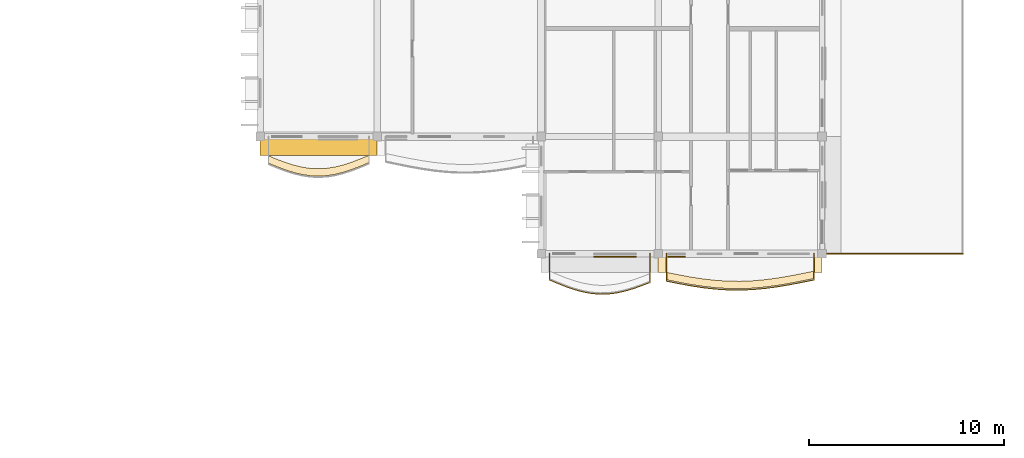
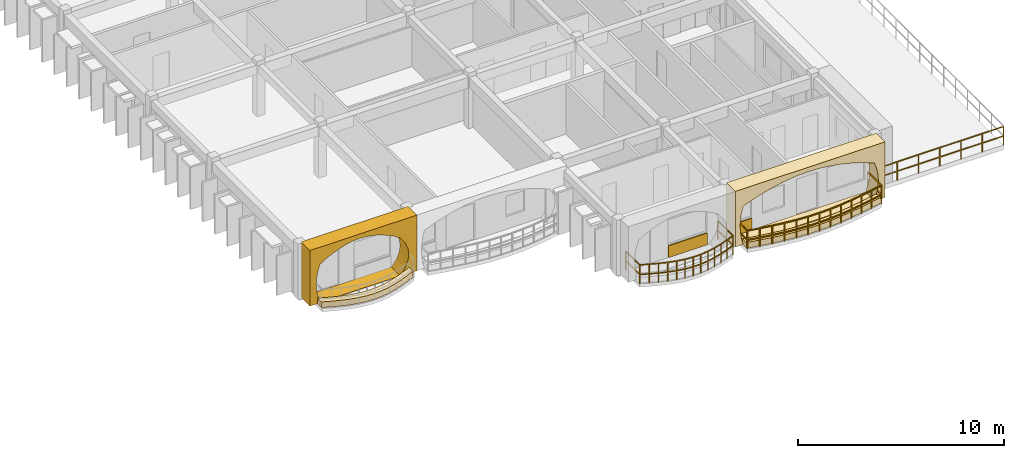
# One storey, part 57 of 66: 6 coverings, 3 railings.
"""IFC4 building model written with IfcOpenShell, lengths in metres."""

from ifc_helpers import new_model, si_unit, direction, frame, origin, origin_2d, place, context, subcontext, project, spatial, polyline, rectangle, outline, extrude, material, layer, layer_set, type_object, element, save


model = new_model("IFC4")

# Units and contexts
model_context = context("Model", 3, precision=1e-05, world=origin(), true_north=direction((0.0, 1.0)))
body_context = subcontext(model_context, "Body", "Model", "MODEL_VIEW")
ifc_project = project(units=[si_unit("LENGTHUNIT", "METRE"), si_unit("AREAUNIT", "SQUARE_METRE"), si_unit("VOLUMEUNIT", "CUBIC_METRE"), si_unit("PLANEANGLEUNIT", "RADIAN"), si_unit("MASSUNIT", "GRAM", prefix="KILO"), si_unit("THERMODYNAMICTEMPERATUREUNIT", "KELVIN")], contexts=[model_context])

# Site, building, storey
site_placement = place(None, origin())
site = spatial("IfcSite", under=ifc_project, at=site_placement, CompositionType="ELEMENT")
building_placement = place(site_placement, origin())
building = spatial("IfcBuilding", under=site, at=building_placement, Name="Thalorik Housing Commons", CompositionType="ELEMENT")
storey_placement = place(building_placement, frame((0.0, 0.0, 21.300048828125)))
storey = spatial("IfcBuildingStorey", under=building, at=storey_placement, Name="L06", CompositionType="ELEMENT", Elevation=21.300048828125)

# Coverings
ifc_material_1 = material(Name="Cobalt blue glazed ceramic facade tile panel", Category="masonry")
ifc_layer_1 = layer(ifc_material_1, 0.06005859375, Name="Cobalt blue glazed ceramic facade tile panel", Category="masonry")
ifc_layer_set_1 = layer_set([ifc_layer_1], Name="Cobalt blue glazed ceramic facade tile panel")
covering_type_1 = type_object("IfcCoveringType", Name="ARC-CLD-BLU-60", PredefinedType="CLADDING", material=ifc_layer_set_1)
covering_1_placement = place(storey_placement, frame((156.18994140625, 37.04248046875, 0.0498046875), z_axis=(0.0, 0.0, 1.0), x_axis=(1.0, 0.0, 0.0)))
element("IfcCovering", 1, at=covering_1_placement, inside=storey, type_object=covering_type_1, Name="L06 De Stijl Recessed Window Spandrel 4973", PredefinedType="CLADDING", context=body_context, shape_type="SweptSolid", body=[
    extrude(rectangle(XDim=2.179931640625, YDim=0.06005859375, at=origin_2d()), origin(), (0.0, 0.0, 1.0), 0.699951171875),
])
ifc_material_2 = material(Name="Precast concrete C40/50", Category="concrete")
ifc_layer_2 = layer(ifc_material_2, 0.85009765625, Name="Precast concrete C40/50", Category="concrete")
ifc_layer_set_2 = layer_set([ifc_layer_2], Name="Precast concrete C40/50")
covering_type_2 = type_object("IfcCoveringType", Name="ARC-CLD-CUSH-850", PredefinedType="CLADDING", material=ifc_layer_set_2)
covering_2_placement = place(storey_placement, frame((141.0, 42.652587890625, 0.0), z_axis=(0.0, 0.0, 1.0), x_axis=(1.0, 0.0, 0.0)))
element("IfcCovering", 2, at=covering_2_placement, inside=storey, type_object=covering_type_2, Name="L06 White Precast Curved Cushion Bay Frame 4961", PredefinedType="CLADDING", context=body_context, shape_type="SweptSolid", body=[
    extrude(outline(polyline([(-3.0, 0.0), (3.0, 0.0), (3.0, 3.300048828125), (-3.0, 3.300048828125), (-3.0, 0.0)]), holes=[polyline([(2.06005859375, 0.02490234375), (2.332275390625, 0.40087890625), (2.49560546875, 0.776611328125), (2.550048828125, 1.152587890625), (2.49560546875, 1.5283203125), (2.332275390625, 1.904296875), (2.06005859375, 2.280029296875), (1.685791015625, 2.51123046875), (1.311767578125, 2.693115234375), (0.9375, 2.840087890625), (0.563232421875, 2.94970703125), (0.189208984375, 3.01708984375), (-0.18505859375, 3.0400390625), (-0.55908203125, 3.01708984375), (-0.933349609375, 2.94970703125), (-1.3076171875, 2.840087890625), (-1.681640625, 2.693115234375), (-2.055908203125, 2.51123046875), (-2.429931640625, 2.280029296875), (-2.55029296875, 1.904296875), (-2.62255859375, 1.5283203125), (-2.646484375, 1.152587890625), (-2.62255859375, 0.776611328125), (-2.55029296875, 0.40087890625), (-2.429931640625, 0.02490234375), (2.06005859375, 0.02490234375)])]), frame((0.0, 0.425048828125, 0.0), z_axis=(0.0, -1.0, 0.0), x_axis=(1.0, 0.0, 0.0)), (0.0, 0.0, 1.0), 0.85009765625),
])
covering_3_placement = place(storey_placement, frame((162.60009765625, 36.652587890625, 0.0), z_axis=(0.0, 0.0, 1.0), x_axis=(1.0, 0.0, 0.0)))
element("IfcCovering", 3, at=covering_3_placement, inside=storey, type_object=covering_type_2, Name="L06 White Precast Curved Cushion Bay Frame 4974", PredefinedType="CLADDING", context=body_context, shape_type="SweptSolid", body=[
    extrude(outline(polyline([(-4.199951171875, 0.0), (4.199951171875, 0.0), (4.199951171875, 3.300048828125), (-4.199951171875, 3.300048828125), (-4.199951171875, 0.0)]), holes=[polyline([(3.594970703125, 0.02490234375), (3.72265625, 0.3974609375), (3.79931640625, 0.77001953125), (3.824951171875, 1.142578125), (3.79931640625, 1.514892578125), (3.72265625, 1.887451171875), (3.594970703125, 2.260009765625), (2.981689453125, 2.497314453125), (2.368408203125, 2.683837890625), (1.7548828125, 2.8349609375), (1.1416015625, 2.947265625), (0.5283203125, 3.0166015625), (-0.0849609375, 3.0400390625), (-0.6982421875, 3.0166015625), (-1.311767578125, 2.947265625), (-1.925048828125, 2.8349609375), (-2.538330078125, 2.683837890625), (-3.151611328125, 2.497314453125), (-3.764892578125, 2.260009765625), (-3.856689453125, 1.887451171875), (-3.911865234375, 1.514892578125), (-3.930419921875, 1.142578125), (-3.911865234375, 0.77001953125), (-3.856689453125, 0.3974609375), (-3.764892578125, 0.02490234375), (3.594970703125, 0.02490234375)])]), frame((0.0, 0.425048828125, 0.0), z_axis=(0.0, -1.0, 0.0), x_axis=(1.0, 0.0, 0.0)), (0.0, 0.0, 1.0), 0.85009765625),
])
ifc_material_3 = material(Name="Mineral ochre architectural terracotta panel", Category="masonry")
ifc_layer_3 = layer(ifc_material_3, 0.06494140625, Name="Mineral ochre architectural terracotta panel", Category="masonry")
ifc_layer_set_3 = layer_set([ifc_layer_3], Name="Mineral ochre architectural terracotta panel")
covering_type_3 = type_object("IfcCoveringType", Name="ARC-CLD-YEL-65", PredefinedType="CLADDING", material=ifc_layer_set_3)
covering_4_placement = place(storey_placement, frame((159.3349609375, 37.0400390625, 0.0498046875), z_axis=(0.0, 0.0, 1.0), x_axis=(1.0, 0.0, 0.0)))
element("IfcCovering", 4, at=covering_4_placement, inside=storey, type_object=covering_type_3, Name="L06 De Stijl Recessed Window Spandrel 4975", PredefinedType="CLADDING", context=body_context, shape_type="SweptSolid", body=[
    extrude(rectangle(XDim=0.89990234375, YDim=0.06494140625, at=origin_2d()), origin(), (0.0, 0.0, 1.0), 0.699951171875),
])
ifc_material_4 = material(Name="Planted vegetated substrate and terracotta trough", Category="masonry")
ifc_layer_4 = layer(ifc_material_4, 0.340087890625, Name="Planted vegetated substrate and terracotta trough", Category="masonry")
ifc_layer_set_4 = layer_set([ifc_layer_4], Name="Planted vegetated substrate and terracotta trough")
covering_type_4 = type_object("IfcCoveringType", Name="ARC-COV-PLANTER", PredefinedType="USERDEFINED", material=ifc_layer_set_4)
covering_5_placement = place(storey_placement, origin())
element("IfcCovering", 5, at=covering_5_placement, inside=storey, type_object=covering_type_4, Name="L06 Balcony Slab-Edge Planted Trough 5686", ObjectType="PLANTER", PredefinedType="USERDEFINED", context=body_context, shape_type="SweptSolid", body=[
    extrude(outline(polyline([(158.820068359375, 35.861328125), (159.449951171875, 35.73486328125), (160.080078125, 35.61962890625), (160.7099609375, 35.523681640625), (161.340087890625, 35.452880859375), (161.969970703125, 35.412109375), (162.60009765625, 35.40380859375), (163.22998046875, 35.4287109375), (163.860107421875, 35.485107421875), (164.489990234375, 35.56884765625), (165.1201171875, 35.674560546875), (165.75, 35.795166015625), (166.3798828125, 35.922607421875), (166.3798828125, 36.302734375), (165.75, 36.17529296875), (165.1201171875, 36.0546875), (164.489990234375, 35.948974609375), (163.860107421875, 35.864990234375), (163.22998046875, 35.808837890625), (162.60009765625, 35.783935546875), (161.969970703125, 35.7919921875), (161.340087890625, 35.8330078125), (160.7099609375, 35.90380859375), (160.080078125, 35.999755859375), (159.449951171875, 36.11474609375), (158.820068359375, 36.2412109375), (158.820068359375, 35.861328125)])), origin(), (0.0, 0.0, 1.0), 0.33984375),
])
covering_6_placement = place(storey_placement, origin())
element("IfcCovering", 6, at=covering_6_placement, inside=storey, type_object=covering_type_4, Name="L06 Balcony Slab-Edge Planted Trough 5687", ObjectType="PLANTER", PredefinedType="USERDEFINED", context=body_context, shape_type="SweptSolid", body=[
    extrude(outline(polyline([(138.419921875, 41.836181640625), (138.85009765625, 41.660400390625), (139.280029296875, 41.498046875), (139.7099609375, 41.360107421875), (140.139892578125, 41.255615234375), (140.570068359375, 41.19091796875), (141.0, 41.1708984375), (141.429931640625, 41.19677734375), (141.860107421875, 41.266845703125), (142.2900390625, 41.376708984375), (142.719970703125, 41.519287109375), (143.14990234375, 41.685302734375), (143.580078125, 41.8642578125), (143.580078125, 42.244140625), (143.14990234375, 42.0654296875), (142.719970703125, 41.8994140625), (142.2900390625, 41.7568359375), (141.860107421875, 41.64697265625), (141.429931640625, 41.576904296875), (141.0, 41.551025390625), (140.570068359375, 41.571044921875), (140.139892578125, 41.635498046875), (139.7099609375, 41.740234375), (139.280029296875, 41.878173828125), (138.85009765625, 42.040283203125), (138.419921875, 42.21630859375), (138.419921875, 41.836181640625)])), origin(), (0.0, 0.0, 1.0), 0.33984375),
])

# Railings
ifc_material_5 = material(Name="Steel S355", Category="steel")
railing_type_1 = type_object("IfcRailingType", Name="ARC-RL-BAL-112", PredefinedType="BALUSTRADE", material=ifc_material_5)
railing_1_placement = place(storey_placement, frame((158.820068359375, 37.199951171875, 0.0)))
element("IfcRailing", 7, at=railing_1_placement, inside=storey, type_object=railing_type_1, Name="L06 Cushion Balcony Guardrail 370", PredefinedType="BALUSTRADE", context=body_context, shape_type="SweptSolid", body=[
    extrude(rectangle(XDim=0.050048828125, YDim=0.050048828125, at=origin_2d()), frame((0.0, 0.0, 1.09521484375), z_axis=(0.0, -1.0, 0.0), x_axis=(1.0, 0.0, 0.0)), (0.0, 0.0, 1.0), 1.40869140625),
    extrude(rectangle(XDim=0.050048828125, YDim=0.050048828125, at=origin_2d()), frame((0.0, 0.0, 0.53515625), z_axis=(0.0, -1.0, 0.0), x_axis=(1.0, 0.0, 0.0)), (0.0, 0.0, 1.0), 1.40869140625),
    extrude(rectangle(XDim=0.050048828125, YDim=0.050048828125, at=origin_2d()), frame((0.0, -1.40869140625, 1.09521484375), z_axis=(0.980434244421, -0.19684687543, 0.0), x_axis=(0.19684687543, 0.980434244421, 0.0)), (0.0, 0.0, 1.0), 0.642333984375),
    extrude(rectangle(XDim=0.050048828125, YDim=0.050048828125, at=origin_2d()), frame((0.0, -1.40869140625, 0.53515625), z_axis=(0.980434244421, -0.19684687543, 0.0), x_axis=(0.19684687543, 0.980434244421, 0.0)), (0.0, 0.0, 1.0), 0.642333984375),
    extrude(rectangle(XDim=0.050048828125, YDim=0.050048828125, at=origin_2d()), frame((0.6298828125, -1.53515625, 1.09521484375), z_axis=(0.983753833434, -0.179522687155, 0.0), x_axis=(0.179522687155, 0.983753833434, 0.0)), (0.0, 0.0, 1.0), 0.640625),
    extrude(rectangle(XDim=0.050048828125, YDim=0.050048828125, at=origin_2d()), frame((0.6298828125, -1.53515625, 0.53515625), z_axis=(0.983753833434, -0.179522687155, 0.0), x_axis=(0.179522687155, 0.983753833434, 0.0)), (0.0, 0.0, 1.0), 0.640625),
    extrude(rectangle(XDim=0.050048828125, YDim=0.050048828125, at=origin_2d()), frame((1.260009765625, -1.650146484375, 1.09521484375), z_axis=(0.988539414432, -0.150962995847, 0.0), x_axis=(0.150962995847, 0.988539414432, 0.0)), (0.0, 0.0, 1.0), 0.63720703125),
    extrude(rectangle(XDim=0.050048828125, YDim=0.050048828125, at=origin_2d()), frame((1.260009765625, -1.650146484375, 0.53515625), z_axis=(0.988539414432, -0.150962995847, 0.0), x_axis=(0.150962995847, 0.988539414432, 0.0)), (0.0, 0.0, 1.0), 0.63720703125),
    extrude(rectangle(XDim=0.050048828125, YDim=0.050048828125, at=origin_2d()), frame((1.889892578125, -1.746337890625, 1.09521484375), z_axis=(0.993746812117, -0.111656945182, 0.0), x_axis=(0.111656945182, 0.993746812117, 0.0)), (0.0, 0.0, 1.0), 0.634033203125),
    extrude(rectangle(XDim=0.050048828125, YDim=0.050048828125, at=origin_2d()), frame((1.889892578125, -1.746337890625, 0.53515625), z_axis=(0.993746812117, -0.111656945182, 0.0), x_axis=(0.111656945182, 0.993746812117, 0.0)), (0.0, 0.0, 1.0), 0.634033203125),
    extrude(rectangle(XDim=0.050048828125, YDim=0.050048828125, at=origin_2d()), frame((2.52001953125, -1.817138671875, 1.09521484375), z_axis=(0.997911658868, -0.064593506601, 0.0), x_axis=(0.064593506601, 0.997911658868, 0.0)), (0.0, 0.0, 1.0), 0.631103515625),
    extrude(rectangle(XDim=0.050048828125, YDim=0.050048828125, at=origin_2d()), frame((2.52001953125, -1.817138671875, 0.53515625), z_axis=(0.997911658868, -0.064593506601, 0.0), x_axis=(0.064593506601, 0.997911658868, 0.0)), (0.0, 0.0, 1.0), 0.631103515625),
    extrude(rectangle(XDim=0.050048828125, YDim=0.050048828125, at=origin_2d()), frame((3.14990234375, -1.85791015625, 1.09521484375), z_axis=(0.999918272421, -0.012784697013, 0.0), x_axis=(0.012784697013, 0.999918272421, 0.0)), (0.0, 0.0, 1.0), 0.630126953125),
    extrude(rectangle(XDim=0.050048828125, YDim=0.050048828125, at=origin_2d()), frame((3.14990234375, -1.85791015625, 0.53515625), z_axis=(0.999918272421, -0.012784697013, 0.0), x_axis=(0.012784697013, 0.999918272421, 0.0)), (0.0, 0.0, 1.0), 0.630126953125),
    extrude(rectangle(XDim=0.050048828125, YDim=0.050048828125, at=origin_2d()), frame((3.780029296875, -1.865966796875, 1.09521484375), z_axis=(0.999219411415, 0.039504023242, 0.0), x_axis=(-0.039504023242, 0.999219411415, 0.0)), (0.0, 0.0, 1.0), 0.63037109375),
    extrude(rectangle(XDim=0.050048828125, YDim=0.050048828125, at=origin_2d()), frame((3.780029296875, -1.865966796875, 0.53515625), z_axis=(0.999219411415, 0.039504023242, 0.0), x_axis=(-0.039504023242, 0.999219411415, 0.0)), (0.0, 0.0, 1.0), 0.63037109375),
    extrude(rectangle(XDim=0.050048828125, YDim=0.050048828125, at=origin_2d()), frame((4.409912109375, -1.841064453125, 1.09521484375), z_axis=(0.996052951542, 0.088761014667, 0.0), x_axis=(-0.088761014667, 0.996052951542, 0.0)), (0.0, 0.0, 1.0), 0.632568359375),
    extrude(rectangle(XDim=0.050048828125, YDim=0.050048828125, at=origin_2d()), frame((4.409912109375, -1.841064453125, 0.53515625), z_axis=(0.996052951542, 0.088761014667, 0.0), x_axis=(-0.088761014667, 0.996052951542, 0.0)), (0.0, 0.0, 1.0), 0.632568359375),
    extrude(rectangle(XDim=0.050048828125, YDim=0.050048828125, at=origin_2d()), frame((5.0400390625, -1.784912109375, 1.09521484375), z_axis=(0.991278162816, 0.131786205367, 0.0), x_axis=(-0.131786205367, 0.991278162816, 0.0)), (0.0, 0.0, 1.0), 0.635498046875),
    extrude(rectangle(XDim=0.050048828125, YDim=0.050048828125, at=origin_2d()), frame((5.0400390625, -1.784912109375, 0.53515625), z_axis=(0.991278162816, 0.131786205367, 0.0), x_axis=(-0.131786205367, 0.991278162816, 0.0)), (0.0, 0.0, 1.0), 0.635498046875),
    extrude(rectangle(XDim=0.050048828125, YDim=0.050048828125, at=origin_2d()), frame((5.669921875, -1.701171875, 1.09521484375), z_axis=(0.986217798769, 0.165452269224, 0.0), x_axis=(-0.165452269224, 0.986217798769, 0.0)), (0.0, 0.0, 1.0), 0.638916015625),
    extrude(rectangle(XDim=0.050048828125, YDim=0.050048828125, at=origin_2d()), frame((5.669921875, -1.701171875, 0.53515625), z_axis=(0.986217798769, 0.165452269224, 0.0), x_axis=(-0.165452269224, 0.986217798769, 0.0)), (0.0, 0.0, 1.0), 0.638916015625),
    extrude(rectangle(XDim=0.050048828125, YDim=0.050048828125, at=origin_2d()), frame((6.300048828125, -1.595458984375, 1.09521484375), z_axis=(0.982158184024, 0.188056644538, 0.0), x_axis=(-0.188056644538, 0.982158184024, 0.0)), (0.0, 0.0, 1.0), 0.641357421875),
    extrude(rectangle(XDim=0.050048828125, YDim=0.050048828125, at=origin_2d()), frame((6.300048828125, -1.595458984375, 0.53515625), z_axis=(0.982158184024, 0.188056644538, 0.0), x_axis=(-0.188056644538, 0.982158184024, 0.0)), (0.0, 0.0, 1.0), 0.641357421875),
    extrude(rectangle(XDim=0.050048828125, YDim=0.050048828125, at=origin_2d()), frame((6.929931640625, -1.474853515625, 1.09521484375), z_axis=(0.980065978106, 0.19867228936, 0.0), x_axis=(-0.19867228936, 0.980065978106, 0.0)), (0.0, 0.0, 1.0), 0.642578125),
    extrude(rectangle(XDim=0.050048828125, YDim=0.050048828125, at=origin_2d()), frame((6.929931640625, -1.474853515625, 0.53515625), z_axis=(0.980065978106, 0.19867228936, 0.0), x_axis=(-0.19867228936, 0.980065978106, 0.0)), (0.0, 0.0, 1.0), 0.642578125),
    extrude(rectangle(XDim=0.050048828125, YDim=0.050048828125, at=origin_2d()), frame((7.559814453125, -1.34716796875, 1.09521484375), z_axis=(0.0, 1.0, 0.0), x_axis=(-1.0, 0.0, 0.0)), (0.0, 0.0, 1.0), 1.34716796875),
    extrude(rectangle(XDim=0.050048828125, YDim=0.050048828125, at=origin_2d()), frame((7.559814453125, -1.34716796875, 0.53515625), z_axis=(0.0, 1.0, 0.0), x_axis=(-1.0, 0.0, 0.0)), (0.0, 0.0, 1.0), 1.34716796875),
    extrude(rectangle(XDim=0.0419921875, YDim=0.0419921875, at=origin_2d()), origin(), (0.0, 0.0, 1.0), 1.070068359375),
    extrude(rectangle(XDim=0.0419921875, YDim=0.0419921875, at=origin_2d()), frame((0.0, -1.40869140625, 0.0)), (0.0, 0.0, 1.0), 1.070068359375),
    extrude(rectangle(XDim=0.0419921875, YDim=0.0419921875, at=origin_2d()), frame((0.6298828125, -1.53515625, 0.0)), (0.0, 0.0, 1.0), 1.070068359375),
    extrude(rectangle(XDim=0.0419921875, YDim=0.0419921875, at=origin_2d()), frame((1.260009765625, -1.650146484375, 0.0)), (0.0, 0.0, 1.0), 1.070068359375),
    extrude(rectangle(XDim=0.0419921875, YDim=0.0419921875, at=origin_2d()), frame((1.889892578125, -1.746337890625, 0.0)), (0.0, 0.0, 1.0), 1.070068359375),
    extrude(rectangle(XDim=0.0419921875, YDim=0.0419921875, at=origin_2d()), frame((2.52001953125, -1.817138671875, 0.0)), (0.0, 0.0, 1.0), 1.070068359375),
    extrude(rectangle(XDim=0.0419921875, YDim=0.0419921875, at=origin_2d()), frame((3.14990234375, -1.85791015625, 0.0)), (0.0, 0.0, 1.0), 1.070068359375),
    extrude(rectangle(XDim=0.0419921875, YDim=0.0419921875, at=origin_2d()), frame((3.780029296875, -1.865966796875, 0.0)), (0.0, 0.0, 1.0), 1.070068359375),
    extrude(rectangle(XDim=0.0419921875, YDim=0.0419921875, at=origin_2d()), frame((4.409912109375, -1.841064453125, 0.0)), (0.0, 0.0, 1.0), 1.070068359375),
    extrude(rectangle(XDim=0.0419921875, YDim=0.0419921875, at=origin_2d()), frame((5.0400390625, -1.784912109375, 0.0)), (0.0, 0.0, 1.0), 1.070068359375),
    extrude(rectangle(XDim=0.0419921875, YDim=0.0419921875, at=origin_2d()), frame((5.669921875, -1.701171875, 0.0)), (0.0, 0.0, 1.0), 1.070068359375),
    extrude(rectangle(XDim=0.0419921875, YDim=0.0419921875, at=origin_2d()), frame((6.300048828125, -1.595458984375, 0.0)), (0.0, 0.0, 1.0), 1.070068359375),
    extrude(rectangle(XDim=0.0419921875, YDim=0.0419921875, at=origin_2d()), frame((6.929931640625, -1.474853515625, 0.0)), (0.0, 0.0, 1.0), 1.070068359375),
    extrude(rectangle(XDim=0.0419921875, YDim=0.0419921875, at=origin_2d()), frame((7.559814453125, -1.34716796875, 0.0)), (0.0, 0.0, 1.0), 1.070068359375),
    extrude(rectangle(XDim=0.0419921875, YDim=0.0419921875, at=origin_2d()), frame((7.559814453125, 0.0, 0.0)), (0.0, 0.0, 1.0), 1.070068359375),
])
railing_type_2 = type_object("IfcRailingType", Name="ARC-RL-BAL-115", PredefinedType="BALUSTRADE", material=ifc_material_5)
railing_2_placement = place(storey_placement, frame((152.820068359375, 37.199951171875, 0.0)))
element("IfcRailing", 8, at=railing_2_placement, inside=storey, type_object=railing_type_2, Name="L06 Cushion Balcony Guardrail 369", PredefinedType="BALUSTRADE", context=body_context, shape_type="SweptSolid", body=[
    extrude(rectangle(XDim=0.050048828125, YDim=0.050048828125, at=origin_2d()), frame((0.0, 0.0, 1.125), z_axis=(0.0, -1.0, 0.0), x_axis=(1.0, 0.0, 0.0)), (0.0, 0.0, 1.0), 1.34423828125),
    extrude(rectangle(XDim=0.050048828125, YDim=0.050048828125, at=origin_2d()), frame((0.0, 0.0, 0.5498046875), z_axis=(0.0, -1.0, 0.0), x_axis=(1.0, 0.0, 0.0)), (0.0, 0.0, 1.0), 1.34423828125),
    extrude(rectangle(XDim=0.050048828125, YDim=0.050048828125, at=origin_2d()), frame((0.0, -1.34423828125, 1.125), z_axis=(0.922097969708, -0.386956501768, 0.0), x_axis=(0.386956501768, 0.922097969708, 0.0)), (0.0, 0.0, 1.0), 0.46630859375),
    extrude(rectangle(XDim=0.050048828125, YDim=0.050048828125, at=origin_2d()), frame((0.0, -1.34423828125, 0.5498046875), z_axis=(0.922097969708, -0.386956501768, 0.0), x_axis=(0.386956501768, 0.922097969708, 0.0)), (0.0, 0.0, 1.0), 0.46630859375),
    extrude(rectangle(XDim=0.050048828125, YDim=0.050048828125, at=origin_2d()), frame((0.429931640625, -1.524658203125, 1.125), z_axis=(0.929998507848, -0.367563294414, 0.0), x_axis=(0.367563294414, 0.929998507848, 0.0)), (0.0, 0.0, 1.0), 0.46240234375),
    extrude(rectangle(XDim=0.050048828125, YDim=0.050048828125, at=origin_2d()), frame((0.429931640625, -1.524658203125, 0.5498046875), z_axis=(0.929998507848, -0.367563294414, 0.0), x_axis=(0.367563294414, 0.929998507848, 0.0)), (0.0, 0.0, 1.0), 0.46240234375),
    extrude(rectangle(XDim=0.050048828125, YDim=0.050048828125, at=origin_2d()), frame((0.85986328125, -1.694580078125, 1.125), z_axis=(0.945469879398, -0.325709544151, 0.0), x_axis=(0.325709544151, 0.945469879398, 0.0)), (0.0, 0.0, 1.0), 0.455078125),
    extrude(rectangle(XDim=0.050048828125, YDim=0.050048828125, at=origin_2d()), frame((0.85986328125, -1.694580078125, 0.5498046875), z_axis=(0.945469879398, -0.325709544151, 0.0), x_axis=(0.325709544151, 0.945469879398, 0.0)), (0.0, 0.0, 1.0), 0.455078125),
    extrude(rectangle(XDim=0.050048828125, YDim=0.050048828125, at=origin_2d()), frame((1.2900390625, -1.8427734375, 1.125), z_axis=(0.96466261905, -0.263488199752, 0.0), x_axis=(0.263488199752, 0.96466261905, 0.0)), (0.0, 0.0, 1.0), 0.44580078125),
    extrude(rectangle(XDim=0.050048828125, YDim=0.050048828125, at=origin_2d()), frame((1.2900390625, -1.8427734375, 0.5498046875), z_axis=(0.96466261905, -0.263488199752, 0.0), x_axis=(0.263488199752, 0.96466261905, 0.0)), (0.0, 0.0, 1.0), 0.44580078125),
    extrude(rectangle(XDim=0.050048828125, YDim=0.050048828125, at=origin_2d()), frame((1.719970703125, -1.960205078125, 1.125), z_axis=(0.983492442733, -0.180949205818, 0.0), x_axis=(0.180949205818, 0.983492442733, 0.0)), (0.0, 0.0, 1.0), 0.437255859375),
    extrude(rectangle(XDim=0.050048828125, YDim=0.050048828125, at=origin_2d()), frame((1.719970703125, -1.960205078125, 0.5498046875), z_axis=(0.983492442733, -0.180949205818, 0.0), x_axis=(0.180949205818, 0.983492442733, 0.0)), (0.0, 0.0, 1.0), 0.437255859375),
    extrude(rectangle(XDim=0.050048828125, YDim=0.050048828125, at=origin_2d()), frame((2.14990234375, -2.039306640625, 1.125), z_axis=(0.996486972987, -0.083747911415, 0.0), x_axis=(0.083747911415, 0.996486972987, 0.0)), (0.0, 0.0, 1.0), 0.431396484375),
    extrude(rectangle(XDim=0.050048828125, YDim=0.050048828125, at=origin_2d()), frame((2.14990234375, -2.039306640625, 0.5498046875), z_axis=(0.996486972987, -0.083747911415, 0.0), x_axis=(0.083747911415, 0.996486972987, 0.0)), (0.0, 0.0, 1.0), 0.431396484375),
    extrude(rectangle(XDim=0.050048828125, YDim=0.050048828125, at=origin_2d()), frame((2.579833984375, -2.075439453125, 1.125), z_axis=(0.999779596724, 0.020994236708, 0.0), x_axis=(-0.020994236708, 0.999779596724, 0.0)), (0.0, 0.0, 1.0), 0.43017578125),
    extrude(rectangle(XDim=0.050048828125, YDim=0.050048828125, at=origin_2d()), frame((2.579833984375, -2.075439453125, 0.5498046875), z_axis=(0.999779596724, 0.020994236708, 0.0), x_axis=(-0.020994236708, 0.999779596724, 0.0)), (0.0, 0.0, 1.0), 0.43017578125),
    extrude(rectangle(XDim=0.050048828125, YDim=0.050048828125, at=origin_2d()), frame((3.010009765625, -2.06640625, 1.125), z_axis=(0.992493129203, 0.122300402633, 0.0), x_axis=(-0.122300402633, 0.992493129203, 0.0)), (0.0, 0.0, 1.0), 0.43310546875),
    extrude(rectangle(XDim=0.050048828125, YDim=0.050048828125, at=origin_2d()), frame((3.010009765625, -2.06640625, 0.5498046875), z_axis=(0.992493129203, 0.122300402633, 0.0), x_axis=(-0.122300402633, 0.992493129203, 0.0)), (0.0, 0.0, 1.0), 0.43310546875),
    extrude(rectangle(XDim=0.050048828125, YDim=0.050048828125, at=origin_2d()), frame((3.43994140625, -2.013427734375, 1.125), z_axis=(0.977271429214, 0.211991871641, 0.0), x_axis=(-0.211991871641, 0.977271429214, 0.0)), (0.0, 0.0, 1.0), 0.43994140625),
    extrude(rectangle(XDim=0.050048828125, YDim=0.050048828125, at=origin_2d()), frame((3.43994140625, -2.013427734375, 0.5498046875), z_axis=(0.977271429214, 0.211991871641, 0.0), x_axis=(-0.211991871641, 0.977271429214, 0.0)), (0.0, 0.0, 1.0), 0.43994140625),
    extrude(rectangle(XDim=0.050048828125, YDim=0.050048828125, at=origin_2d()), frame((3.869873046875, -1.920166015625, 1.125), z_axis=(0.959252728444, 0.282549469956, 0.0), x_axis=(-0.282549469956, 0.959252728444, 0.0)), (0.0, 0.0, 1.0), 0.448486328125),
    extrude(rectangle(XDim=0.050048828125, YDim=0.050048828125, at=origin_2d()), frame((3.869873046875, -1.920166015625, 0.5498046875), z_axis=(0.959252728444, 0.282549469956, 0.0), x_axis=(-0.282549469956, 0.959252728444, 0.0)), (0.0, 0.0, 1.0), 0.448486328125),
    extrude(rectangle(XDim=0.050048828125, YDim=0.050048828125, at=origin_2d()), frame((4.300048828125, -1.79345703125, 1.125), z_axis=(0.942911226478, 0.333044169716, 0.0), x_axis=(-0.333044169716, 0.942911226478, 0.0)), (0.0, 0.0, 1.0), 0.4560546875),
    extrude(rectangle(XDim=0.050048828125, YDim=0.050048828125, at=origin_2d()), frame((4.300048828125, -1.79345703125, 0.5498046875), z_axis=(0.942911226478, 0.333044169716, 0.0), x_axis=(-0.333044169716, 0.942911226478, 0.0)), (0.0, 0.0, 1.0), 0.4560546875),
    extrude(rectangle(XDim=0.050048828125, YDim=0.050048828125, at=origin_2d()), frame((4.72998046875, -1.6416015625, 1.125), z_axis=(0.932332169835, 0.361602993752, 0.0), x_axis=(-0.361602993752, 0.932332169835, 0.0)), (0.0, 0.0, 1.0), 0.461181640625),
    extrude(rectangle(XDim=0.050048828125, YDim=0.050048828125, at=origin_2d()), frame((4.72998046875, -1.6416015625, 0.5498046875), z_axis=(0.932332169835, 0.361602993752, 0.0), x_axis=(-0.361602993752, 0.932332169835, 0.0)), (0.0, 0.0, 1.0), 0.461181640625),
    extrude(rectangle(XDim=0.050048828125, YDim=0.050048828125, at=origin_2d()), frame((5.159912109375, -1.474853515625, 1.125), z_axis=(0.0, 1.0, 0.0), x_axis=(-1.0, 0.0, 0.0)), (0.0, 0.0, 1.0), 1.474853515625),
    extrude(rectangle(XDim=0.050048828125, YDim=0.050048828125, at=origin_2d()), frame((5.159912109375, -1.474853515625, 0.5498046875), z_axis=(0.0, 1.0, 0.0), x_axis=(-1.0, 0.0, 0.0)), (0.0, 0.0, 1.0), 1.474853515625),
    extrude(rectangle(XDim=0.0419921875, YDim=0.0419921875, at=origin_2d()), origin(), (0.0, 0.0, 1.0), 1.099853515625),
    extrude(rectangle(XDim=0.0419921875, YDim=0.0419921875, at=origin_2d()), frame((0.0, -1.34423828125, 0.0)), (0.0, 0.0, 1.0), 1.099853515625),
    extrude(rectangle(XDim=0.0419921875, YDim=0.0419921875, at=origin_2d()), frame((0.429931640625, -1.524658203125, 0.0)), (0.0, 0.0, 1.0), 1.099853515625),
    extrude(rectangle(XDim=0.0419921875, YDim=0.0419921875, at=origin_2d()), frame((0.85986328125, -1.694580078125, 0.0)), (0.0, 0.0, 1.0), 1.099853515625),
    extrude(rectangle(XDim=0.0419921875, YDim=0.0419921875, at=origin_2d()), frame((1.2900390625, -1.8427734375, 0.0)), (0.0, 0.0, 1.0), 1.099853515625),
    extrude(rectangle(XDim=0.0419921875, YDim=0.0419921875, at=origin_2d()), frame((1.719970703125, -1.960205078125, 0.0)), (0.0, 0.0, 1.0), 1.099853515625),
    extrude(rectangle(XDim=0.0419921875, YDim=0.0419921875, at=origin_2d()), frame((2.14990234375, -2.039306640625, 0.0)), (0.0, 0.0, 1.0), 1.099853515625),
    extrude(rectangle(XDim=0.0419921875, YDim=0.0419921875, at=origin_2d()), frame((2.579833984375, -2.075439453125, 0.0)), (0.0, 0.0, 1.0), 1.099853515625),
    extrude(rectangle(XDim=0.0419921875, YDim=0.0419921875, at=origin_2d()), frame((3.010009765625, -2.06640625, 0.0)), (0.0, 0.0, 1.0), 1.099853515625),
    extrude(rectangle(XDim=0.0419921875, YDim=0.0419921875, at=origin_2d()), frame((3.43994140625, -2.013427734375, 0.0)), (0.0, 0.0, 1.0), 1.099853515625),
    extrude(rectangle(XDim=0.0419921875, YDim=0.0419921875, at=origin_2d()), frame((3.869873046875, -1.920166015625, 0.0)), (0.0, 0.0, 1.0), 1.099853515625),
    extrude(rectangle(XDim=0.0419921875, YDim=0.0419921875, at=origin_2d()), frame((4.300048828125, -1.79345703125, 0.0)), (0.0, 0.0, 1.0), 1.099853515625),
    extrude(rectangle(XDim=0.0419921875, YDim=0.0419921875, at=origin_2d()), frame((4.72998046875, -1.6416015625, 0.0)), (0.0, 0.0, 1.0), 1.099853515625),
    extrude(rectangle(XDim=0.0419921875, YDim=0.0419921875, at=origin_2d()), frame((5.159912109375, -1.474853515625, 0.0)), (0.0, 0.0, 1.0), 1.099853515625),
    extrude(rectangle(XDim=0.0419921875, YDim=0.0419921875, at=origin_2d()), frame((5.159912109375, 0.0, 0.0)), (0.0, 0.0, 1.0), 1.099853515625),
])
railing_type_3 = type_object("IfcRailingType", Name="ARC-RL-TER-112", PredefinedType="GUARDRAIL", material=ifc_material_5)
railing_3_placement = place(storey_placement, frame((166.85009765625, 37.199951171875, 0.0)))
element("IfcRailing", 9, at=railing_3_placement, inside=storey, type_object=railing_type_3, Name="L06 L06 East Roof Terrace Edge Guardrail", PredefinedType="GUARDRAIL", context=body_context, shape_type="SweptSolid", body=[
    extrude(rectangle(XDim=0.048095703125, YDim=0.048095703125, at=origin_2d()), frame((0.0, 0.0, 1.09619140625), z_axis=(1.0, 0.0, 0.0), x_axis=(0.0, 1.0, 0.0)), (0.0, 0.0, 1.0), 7.14990234375),
    extrude(rectangle(XDim=0.048095703125, YDim=0.048095703125, at=origin_2d()), frame((0.0, 0.0, 0.5361328125), z_axis=(1.0, 0.0, 0.0), x_axis=(0.0, 1.0, 0.0)), (0.0, 0.0, 1.0), 7.14990234375),
    extrude(rectangle(XDim=0.0419921875, YDim=0.0419921875, at=origin_2d()), origin(), (0.0, 0.0, 1.0), 1.072021484375),
    extrude(rectangle(XDim=0.0419921875, YDim=0.0419921875, at=origin_2d()), frame((1.191650390625, 0.0, 0.0)), (0.0, 0.0, 1.0), 1.072021484375),
    extrude(rectangle(XDim=0.0419921875, YDim=0.0419921875, at=origin_2d()), frame((2.38330078125, 0.0, 0.0)), (0.0, 0.0, 1.0), 1.072021484375),
    extrude(rectangle(XDim=0.0419921875, YDim=0.0419921875, at=origin_2d()), frame((3.574951171875, 0.0, 0.0)), (0.0, 0.0, 1.0), 1.072021484375),
    extrude(rectangle(XDim=0.0419921875, YDim=0.0419921875, at=origin_2d()), frame((4.7666015625, 0.0, 0.0)), (0.0, 0.0, 1.0), 1.072021484375),
    extrude(rectangle(XDim=0.0419921875, YDim=0.0419921875, at=origin_2d()), frame((5.958251953125, 0.0, 0.0)), (0.0, 0.0, 1.0), 1.072021484375),
    extrude(rectangle(XDim=0.0419921875, YDim=0.0419921875, at=origin_2d()), frame((7.14990234375, 0.0, 0.0)), (0.0, 0.0, 1.0), 1.072021484375),
])

save(model, "model.ifc")
